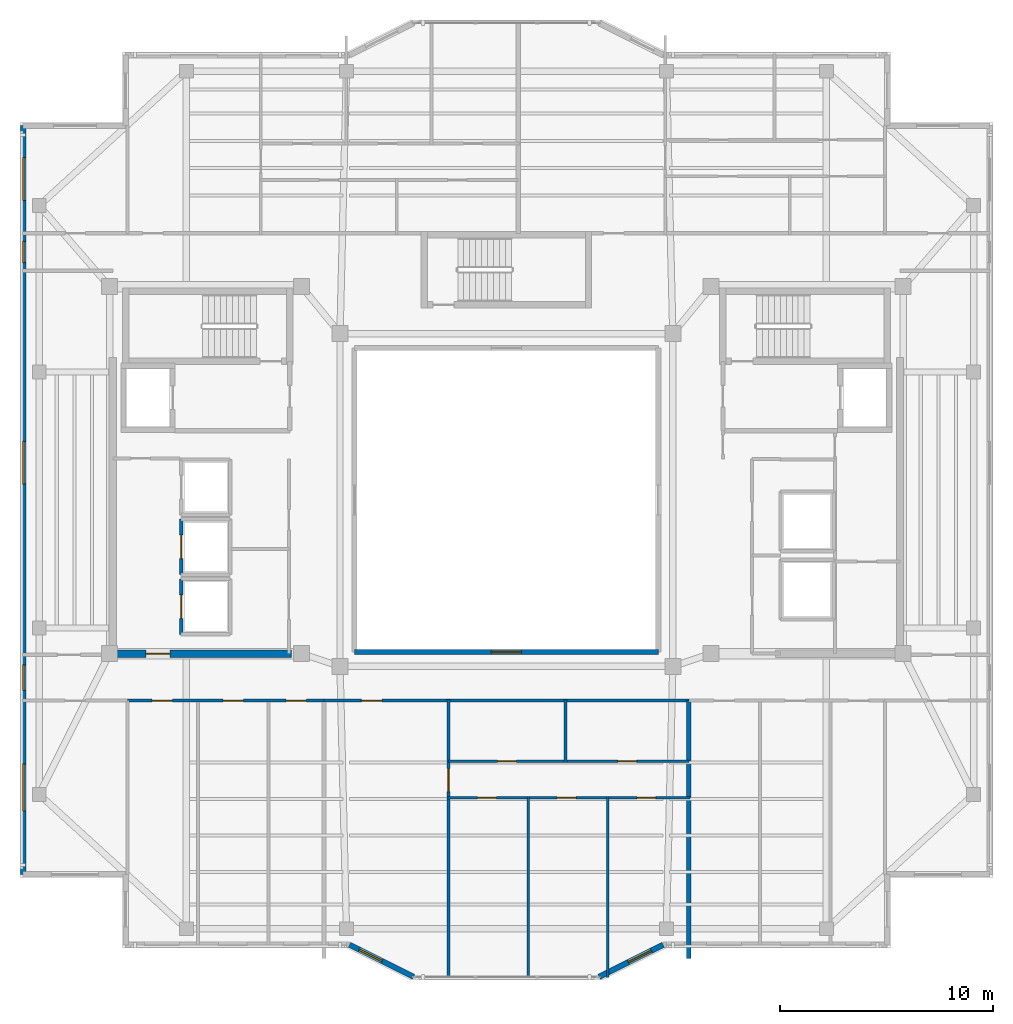
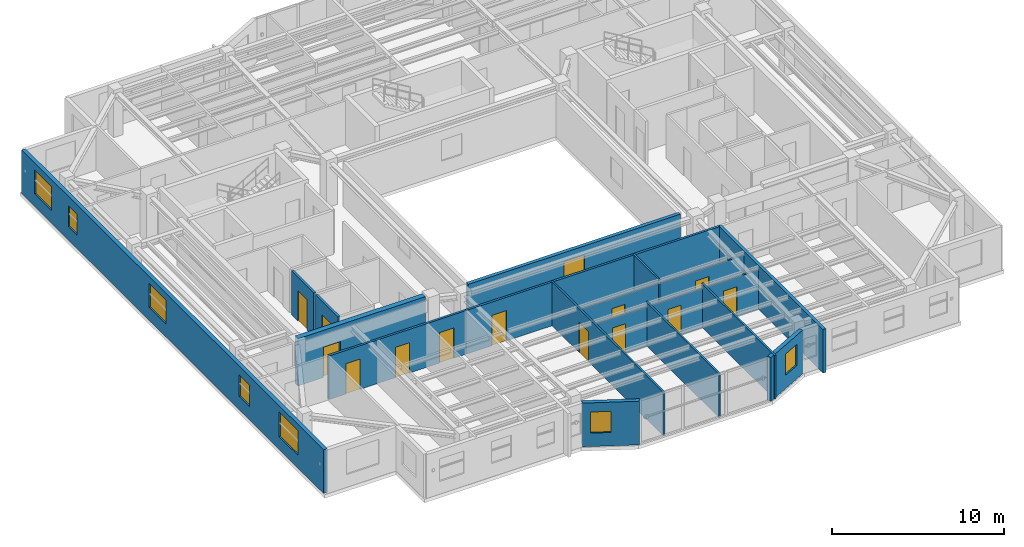
# One storey, part 6 of 13: 17 walls, 13 doors, 8 windows, 21 openings.
"""IFC4 building model written with IfcOpenShell, lengths in metres."""

from ifc_helpers import new_model, si_unit, direction, frame, frame_2d, origin, place, context, subcontext, project, spatial, rectangle, extrude, material, layer, layer_set, type_object, element, fill, save


model = new_model("IFC4")

# Units and contexts
model_context = context("Model", 3, precision=1e-05, world=origin(), true_north=direction((0.0, 1.0)))
body_context = subcontext(model_context, "Body", "Model", "MODEL_VIEW")
ifc_project = project(units=[si_unit("LENGTHUNIT", "METRE"), si_unit("AREAUNIT", "SQUARE_METRE"), si_unit("VOLUMEUNIT", "CUBIC_METRE"), si_unit("PLANEANGLEUNIT", "RADIAN"), si_unit("MASSUNIT", "GRAM", prefix="KILO")], contexts=[model_context])

# Site, building, storey
site_placement = place(None, origin())
site = spatial("IfcSite", under=ifc_project, at=site_placement, CompositionType="ELEMENT")
building_placement = place(site_placement, origin())
building = spatial("IfcBuilding", under=site, at=building_placement, Name="Tarnavaz Court Tower", CompositionType="ELEMENT")
storey_placement = place(building_placement, frame((0.0, 0.0, 248.199951171875)))
storey = spatial("IfcBuildingStorey", under=building, at=storey_placement, Name="L67", CompositionType="ELEMENT", Elevation=248.199951171875)

# Wall, opening, door
ifc_material_1 = material(Name="Concrete C50/60", Category="concrete")
ifc_layer_1 = layer(ifc_material_1, 0.35009765625)
ifc_layer_set_1 = layer_set([ifc_layer_1], Name="Concrete C50/60")
wall_type_1 = type_object("IfcWallType", Name="WL-CORE-350-C50", PredefinedType="SHEAR", material=ifc_layer_set_1)
wall_1_placement = place(storey_placement, frame((-18.625, -7.199951171875, 0.0), z_axis=(0.0, 0.0, 1.0), x_axis=(1.0, 0.0, 0.0)))
wall_1 = element("IfcWall", 1, at=wall_1_placement, inside=storey, type_object=wall_type_1, Name="L67 West Core South Shear Wall 046", PredefinedType="SHEAR", context=body_context, shape_type="SweptSolid", body=[
    extrude(rectangle(XDim=8.550048828125, YDim=0.35009765625, at=frame_2d((4.27490234375, 0.0))), origin(), (0.0, 0.0, 1.0), 3.35009765625),
])
opening_1_placement = place(wall_1_placement, frame((1.72509765625, 0.0, 0.0)))
opening_1 = element("IfcOpeningElement", 2, at=opening_1_placement, cuts=wall_1, Name="Opening D04", PredefinedType="OPENING", context=body_context, shape_type="SweptSolid", body=[
    extrude(rectangle(XDim=1.1201171875, YDim=2.14990234375, at=frame_2d((0.56005859375, 1.074951171875))), frame((0.0, 0.18505859375, 0.0), z_axis=(0.0, -1.0, 0.0), x_axis=(1.0, 0.0, 0.0)), (0.0, 0.0, 1.0), 0.3701171875),
])
ifc_material_2 = material(Name="Fire-Rated Hardwood Timber Core", Category="wood")
door_type_1 = type_object("IfcDoorType", Name="DR-FD60-1100", OperationType="NOTDEFINED", PredefinedType="DOOR", material=ifc_material_2)
door_1_placement = place(opening_1_placement, origin())
door_1 = element("IfcDoor", 3, at=door_1_placement, inside=storey, type_object=door_type_1, Name="L67 West High-Rise Lift Lobby Door", OperationType="SINGLE_SWING_LEFT", OverallHeight=2.14990234375, OverallWidth=1.1201171875, PredefinedType="DOOR", context=body_context, shape_type="SweptSolid", body=[
    extrude(rectangle(XDim=1.1201171875, YDim=2.14990234375, at=frame_2d((0.56005859375, 1.074951171875))), frame((0.0, 0.02490234375, 0.0), z_axis=(0.0, -1.0, 0.0), x_axis=(1.0, 0.0, 0.0)), (0.0, 0.0, 1.0), 0.050048828125),
])
fill(opening_1, door_1)

# Wall, openings, windows
ifc_material_3 = material(Name="Precast Concrete C40/50", Category="concrete")
ifc_layer_2 = layer(ifc_material_3, 0.260009765625)
ifc_layer_set_2 = layer_set([ifc_layer_2], Name="Precast Concrete C40/50")
wall_type_2 = type_object("IfcWallType", Name="WL-EXT-260", PredefinedType="SOLIDWALL", material=ifc_layer_set_2)
wall_2_placement = place(storey_placement, frame((-22.64990234375, -17.550048828125, 0.0), z_axis=(0.0, 0.0, 1.0), x_axis=(0.0, 1.0, 0.0)))
wall_2 = element("IfcWall", 4, at=wall_2_placement, inside=storey, type_object=wall_type_2, Name="L67 Exterior Terracotta Facade Wall 02", PredefinedType="SOLIDWALL", context=body_context, shape_type="SweptSolid", body=[
    extrude(rectangle(XDim=35.10009765625, YDim=0.260009765625, at=frame_2d((17.550048828125, 0.0))), origin(), (0.0, 0.0, 1.0), 3.10009765625),
])
opening_2_placement = place(wall_2_placement, frame((2.97509765625, 0.0, 0.89990234375)))
opening_2 = element("IfcOpeningElement", 5, at=opening_2_placement, cuts=wall_2, Name="Opening W07", PredefinedType="OPENING", context=body_context, shape_type="SweptSolid", body=[
    extrude(rectangle(XDim=2.199951171875, YDim=1.75, at=frame_2d((1.10009765625, 0.875))), frame((0.0, 0.139892578125, 0.0), z_axis=(0.0, -1.0, 0.0), x_axis=(1.0, 0.0, 0.0)), (0.0, 0.0, 1.0), 0.280029296875),
])
opening_3_placement = place(wall_2_placement, frame((8.625, 0.0, 0.949951171875)))
opening_3 = element("IfcOpeningElement", 6, at=opening_3_placement, cuts=wall_2, Name="Opening W05", PredefinedType="OPENING", context=body_context, shape_type="SweptSolid", body=[
    extrude(rectangle(XDim=1.199951171875, YDim=1.5, at=frame_2d((0.60009765625, 0.75))), frame((0.0, 0.139892578125, 0.0), z_axis=(0.0, -1.0, 0.0), x_axis=(1.0, 0.0, 0.0)), (0.0, 0.0, 1.0), 0.280029296875),
])
opening_4_placement = place(wall_2_placement, frame((18.300048828125, 0.0, 0.89990234375)))
opening_4 = element("IfcOpeningElement", 7, at=opening_4_placement, cuts=wall_2, Name="Opening W08", PredefinedType="OPENING", context=body_context, shape_type="SweptSolid", body=[
    extrude(rectangle(XDim=2.0, YDim=1.699951171875, at=frame_2d((1.0, 0.85009765625))), frame((0.0, 0.139892578125, 0.0), z_axis=(0.0, -1.0, 0.0), x_axis=(1.0, 0.0, 0.0)), (0.0, 0.0, 1.0), 0.280029296875),
])
opening_5_placement = place(wall_2_placement, frame((28.675048828125, 0.0, 0.949951171875)))
opening_5 = element("IfcOpeningElement", 8, at=opening_5_placement, cuts=wall_2, Name="Opening W14", PredefinedType="OPENING", context=body_context, shape_type="SweptSolid", body=[
    extrude(rectangle(XDim=1.0, YDim=1.5, at=frame_2d((0.5, 0.75))), frame((0.0, 0.139892578125, 0.0), z_axis=(0.0, -1.0, 0.0), x_axis=(1.0, 0.0, 0.0)), (0.0, 0.0, 1.0), 0.280029296875),
])
opening_6_placement = place(wall_2_placement, frame((31.60009765625, 0.0, 0.89990234375)))
opening_6 = element("IfcOpeningElement", 9, at=opening_6_placement, cuts=wall_2, Name="Opening W08", PredefinedType="OPENING", context=body_context, shape_type="SweptSolid", body=[
    extrude(rectangle(XDim=2.0, YDim=1.699951171875, at=frame_2d((1.0, 0.85009765625))), frame((0.0, 0.139892578125, 0.0), z_axis=(0.0, -1.0, 0.0), x_axis=(1.0, 0.0, 0.0)), (0.0, 0.0, 1.0), 0.280029296875),
])
ifc_material_4 = material(Name="Double-Glazed Solar Low-E Glass", Category="glass")
window_type_1 = type_object("IfcWindowType", Name="WN-APT-1000", PartitioningType="SINGLE_PANEL", PredefinedType="WINDOW", material=ifc_material_4)
window_1_placement = place(opening_5_placement, origin())
window_1 = element("IfcWindow", 10, at=window_1_placement, inside=storey, type_object=window_type_1, Name="L67 North-West Corner Corridor Window", OverallHeight=1.5, OverallWidth=1.0, PartitioningType="SINGLE_PANEL", PredefinedType="WINDOW", context=body_context, shape_type="SweptSolid", body=[
    extrude(rectangle(XDim=1.0, YDim=1.5, at=frame_2d((0.5, 0.75))), frame((0.0, 0.030029296875, 0.0), z_axis=(0.0, -1.0, 0.0), x_axis=(1.0, 0.0, 0.0)), (0.0, 0.0, 1.0), 0.06005859375),
])
fill(opening_5, window_1)
window_type_2 = type_object("IfcWindowType", Name="WN-APT-1200", PartitioningType="SINGLE_PANEL", PredefinedType="WINDOW", material=ifc_material_4)
window_2_placement = place(opening_3_placement, origin())
window_2 = element("IfcWindow", 11, at=window_2_placement, inside=storey, type_object=window_type_2, Name="L67 South-West Corner Corridor Window", OverallHeight=1.5, OverallWidth=1.199951171875, PartitioningType="SINGLE_PANEL", PredefinedType="WINDOW", context=body_context, shape_type="SweptSolid", body=[
    extrude(rectangle(XDim=1.199951171875, YDim=1.5, at=frame_2d((0.60009765625, 0.75))), frame((0.0, 0.030029296875, 0.0), z_axis=(0.0, -1.0, 0.0), x_axis=(1.0, 0.0, 0.0)), (0.0, 0.0, 1.0), 0.06005859375),
])
fill(opening_3, window_2)
window_type_3 = type_object("IfcWindowType", Name="WN-APT-2000", PartitioningType="DOUBLE_PANEL_VERTICAL", PredefinedType="WINDOW", material=ifc_material_4)
window_3_placement = place(opening_4_placement, origin())
window_3 = element("IfcWindow", 12, at=window_3_placement, inside=storey, type_object=window_type_3, Name="L67 West Wing Panoramic Study Gallery Window", OverallHeight=1.699951171875, OverallWidth=2.0, PartitioningType="SINGLE_PANEL", PredefinedType="WINDOW", context=body_context, shape_type="SweptSolid", body=[
    extrude(rectangle(XDim=2.0, YDim=1.699951171875, at=frame_2d((1.0, 0.85009765625))), frame((0.0, 0.030029296875, 0.0), z_axis=(0.0, -1.0, 0.0), x_axis=(1.0, 0.0, 0.0)), (0.0, 0.0, 1.0), 0.06005859375),
])
fill(opening_4, window_3)
window_4_placement = place(opening_6_placement, origin())
window_4 = element("IfcWindow", 13, at=window_4_placement, inside=storey, type_object=window_type_3, Name="L67 North-West Corner Sunroom Study Window", OverallHeight=1.699951171875, OverallWidth=2.0, PartitioningType="SINGLE_PANEL", PredefinedType="WINDOW", context=body_context, shape_type="SweptSolid", body=[
    extrude(rectangle(XDim=2.0, YDim=1.699951171875, at=frame_2d((1.0, 0.85009765625))), frame((0.0, 0.030029296875, 0.0), z_axis=(0.0, -1.0, 0.0), x_axis=(1.0, 0.0, 0.0)), (0.0, 0.0, 1.0), 0.06005859375),
])
fill(opening_6, window_4)
window_type_4 = type_object("IfcWindowType", Name="WN-APT-2200", PartitioningType="TRIPLE_PANEL_VERTICAL", PredefinedType="WINDOW", material=ifc_material_4)
window_5_placement = place(opening_2_placement, origin())
window_5 = element("IfcWindow", 14, at=window_5_placement, inside=storey, type_object=window_type_4, Name="L67 South-West Corner Reading Room Window", OverallHeight=1.75, OverallWidth=2.199951171875, PartitioningType="SINGLE_PANEL", PredefinedType="WINDOW", context=body_context, shape_type="SweptSolid", body=[
    extrude(rectangle(XDim=2.199951171875, YDim=1.75, at=frame_2d((1.10009765625, 0.875))), frame((0.0, 0.030029296875, 0.0), z_axis=(0.0, -1.0, 0.0), x_axis=(1.0, 0.0, 0.0)), (0.0, 0.0, 1.0), 0.06005859375),
])
fill(opening_2, window_5)

# Wall, opening, window
wall_3_placement = place(storey_placement, frame((7.35009765625, -20.85009765625, 0.0), z_axis=(0.0, 0.0, 1.0), x_axis=(-0.894427191, -0.4472135955, 0.0)))
wall_3 = element("IfcWall", 15, at=wall_3_placement, inside=storey, type_object=wall_type_2, Name="L67 Exterior Terracotta Facade Wall 16", PredefinedType="SOLIDWALL", context=body_context, shape_type="SweptSolid", body=[
    extrude(rectangle(XDim=3.35400390625, YDim=0.260009765625, at=frame_2d((1.677001953125, 0.0))), origin(), (0.0, 0.0, 1.0), 3.10009765625),
])
opening_7_placement = place(wall_3_placement, frame((0.62158203125, 0.0, 0.949951171875)))
opening_7 = element("IfcOpeningElement", 16, at=opening_7_placement, cuts=wall_3, Name="Opening W05", PredefinedType="OPENING", context=body_context, shape_type="SweptSolid", body=[
    extrude(rectangle(XDim=1.199951171875, YDim=1.5, at=frame_2d((0.60009765625, 0.75))), frame((0.0, 0.139892578125, 0.0), z_axis=(0.0, -1.0, 0.0), x_axis=(1.0, 0.0, 0.0)), (0.0, 0.0, 1.0), 0.280029296875),
])
window_6_placement = place(opening_7_placement, origin())
window_6 = element("IfcWindow", 17, at=window_6_placement, inside=storey, type_object=window_type_2, Name="L67 Flat 03 Bedroom 3 Window", OverallHeight=1.5, OverallWidth=1.199951171875, PartitioningType="SINGLE_PANEL", PredefinedType="WINDOW", context=body_context, shape_type="SweptSolid", body=[
    extrude(rectangle(XDim=1.199951171875, YDim=1.5, at=frame_2d((0.60009765625, 0.75))), frame((0.0, 0.030029296875, 0.0), z_axis=(0.0, -1.0, 0.0), x_axis=(1.0, 0.0, 0.0)), (0.0, 0.0, 1.0), 0.06005859375),
])
fill(opening_7, window_6)

wall_4_placement = place(storey_placement, frame((-4.35009765625, -22.35009765625, 0.0), z_axis=(0.0, 0.0, 1.0), x_axis=(-0.894427191, 0.4472135955, 0.0)))
wall_4 = element("IfcWall", 18, at=wall_4_placement, inside=storey, type_object=wall_type_2, Name="L67 Exterior Terracotta Facade Wall 18", PredefinedType="SOLIDWALL", context=body_context, shape_type="SweptSolid", body=[
    extrude(rectangle(XDim=3.35400390625, YDim=0.260009765625, at=frame_2d((1.677001953125, 0.0))), origin(), (0.0, 0.0, 1.0), 3.10009765625),
])
opening_8_placement = place(wall_4_placement, frame((1.65283203125, 0.0, 0.949951171875)))
opening_8 = element("IfcOpeningElement", 19, at=opening_8_placement, cuts=wall_4, Name="Opening W05", PredefinedType="OPENING", context=body_context, shape_type="SweptSolid", body=[
    extrude(rectangle(XDim=1.199951171875, YDim=1.5, at=frame_2d((0.60009765625, 0.75))), frame((0.0, 0.139892578125, 0.0), z_axis=(0.0, -1.0, 0.0), x_axis=(1.0, 0.0, 0.0)), (0.0, 0.0, 1.0), 0.280029296875),
])
window_7_placement = place(opening_8_placement, origin())
window_7 = element("IfcWindow", 20, at=window_7_placement, inside=storey, type_object=window_type_2, Name="L67 Flat 03 Living and Dining Room Window", OverallHeight=1.5, OverallWidth=1.199951171875, PartitioningType="SINGLE_PANEL", PredefinedType="WINDOW", context=body_context, shape_type="SweptSolid", body=[
    extrude(rectangle(XDim=1.199951171875, YDim=1.5, at=frame_2d((0.60009765625, 0.75))), frame((0.0, 0.030029296875, 0.0), z_axis=(0.0, -1.0, 0.0), x_axis=(1.0, 0.0, 0.0)), (0.0, 0.0, 1.0), 0.06005859375),
])
fill(opening_8, window_7)

# Wall, openings, doors
ifc_material_5 = material(Name="Gypsum Fire-Board on Acoustic Metal Stud", Category="masonry")
ifc_layer_3 = layer(ifc_material_5, 0.14990234375)
ifc_layer_set_3 = layer_set([ifc_layer_3], Name="Gypsum Fire-Board on Acoustic Metal Stud")
wall_type_3 = type_object("IfcWallType", Name="WL-FIRE-150", PredefinedType="PARTITIONING", material=ifc_layer_set_3)
wall_5_placement = place(storey_placement, frame((-17.75, -9.39990234375, 0.0), z_axis=(0.0, 0.0, 1.0), x_axis=(1.0, 0.0, 0.0)))
wall_5 = element("IfcWall", 21, at=wall_5_placement, inside=storey, type_object=wall_type_3, Name="L67 SW Lobby Wall 062", PredefinedType="PARTITIONING", context=body_context, shape_type="SweptSolid", body=[
    extrude(rectangle(XDim=9.199951171875, YDim=0.14990234375, at=frame_2d((4.60009765625, 0.0))), origin(), (0.0, 0.0, 1.0), 3.10009765625),
])
opening_9_placement = place(wall_5_placement, frame((1.14208984375, 0.0, 0.0)))
opening_9 = element("IfcOpeningElement", 22, at=opening_9_placement, cuts=wall_5, Name="Opening D13", PredefinedType="OPENING", context=body_context, shape_type="SweptSolid", body=[
    extrude(rectangle(XDim=0.949951171875, YDim=2.14990234375, at=frame_2d((0.47509765625, 1.074951171875))), frame((0.0, 0.0849609375, 0.0), z_axis=(0.0, -1.0, 0.0), x_axis=(1.0, 0.0, 0.0)), (0.0, 0.0, 1.0), 0.169921875),
])
opening_10_placement = place(wall_5_placement, frame((4.466064453125, 0.0, 0.0)))
opening_10 = element("IfcOpeningElement", 23, at=opening_10_placement, cuts=wall_5, Name="Opening D13", PredefinedType="OPENING", context=body_context, shape_type="SweptSolid", body=[
    extrude(rectangle(XDim=0.949951171875, YDim=2.14990234375, at=frame_2d((0.47509765625, 1.074951171875))), frame((0.0, 0.0849609375, 0.0), z_axis=(0.0, -1.0, 0.0), x_axis=(1.0, 0.0, 0.0)), (0.0, 0.0, 1.0), 0.169921875),
])
opening_11_placement = place(wall_5_placement, frame((7.424072265625, 0.0, 0.0)))
opening_11 = element("IfcOpeningElement", 24, at=opening_11_placement, cuts=wall_5, Name="Opening D13", PredefinedType="OPENING", context=body_context, shape_type="SweptSolid", body=[
    extrude(rectangle(XDim=0.949951171875, YDim=2.14990234375, at=frame_2d((0.47509765625, 1.074951171875))), frame((0.0, 0.0849609375, 0.0), z_axis=(0.0, -1.0, 0.0), x_axis=(1.0, 0.0, 0.0)), (0.0, 0.0, 1.0), 0.169921875),
])
ifc_material_6 = material(Name="Engineered Oak Timber", Category="wood")
door_type_2 = type_object("IfcDoorType", Name="DR-INT-950", OperationType="NOTDEFINED", PredefinedType="DOOR", material=ifc_material_6)
door_2_placement = place(opening_9_placement, origin())
door_2 = element("IfcDoor", 25, at=door_2_placement, inside=storey, type_object=door_type_2, Name="L67 Resident Co-Working Study Room Door", OperationType="SINGLE_SWING_LEFT", OverallHeight=2.14990234375, OverallWidth=0.949951171875, PredefinedType="DOOR", context=body_context, shape_type="SweptSolid", body=[
    extrude(rectangle(XDim=0.949951171875, YDim=2.14990234375, at=frame_2d((0.47509765625, 1.074951171875))), frame((0.0, 0.02490234375, 0.0), z_axis=(0.0, -1.0, 0.0), x_axis=(1.0, 0.0, 0.0)), (0.0, 0.0, 1.0), 0.050048828125),
])
fill(opening_9, door_2)
door_3_placement = place(opening_10_placement, origin())
door_3 = element("IfcDoor", 26, at=door_3_placement, inside=storey, type_object=door_type_2, Name="L67 Quiet Reading Library Room Door", OperationType="SINGLE_SWING_RIGHT", OverallHeight=2.14990234375, OverallWidth=0.949951171875, PredefinedType="DOOR", context=body_context, shape_type="SweptSolid", body=[
    extrude(rectangle(XDim=0.949951171875, YDim=2.14990234375, at=frame_2d((0.47509765625, 1.074951171875))), frame((0.0, 0.02490234375, 0.0), z_axis=(0.0, -1.0, 0.0), x_axis=(1.0, 0.0, 0.0)), (0.0, 0.0, 1.0), 0.050048828125),
])
fill(opening_10, door_3)
door_4_placement = place(opening_11_placement, origin())
door_4 = element("IfcDoor", 27, at=door_4_placement, inside=storey, type_object=door_type_2, Name="L67 Resident Focus Seminar Room Door", OperationType="SINGLE_SWING_LEFT", OverallHeight=2.14990234375, OverallWidth=0.949951171875, PredefinedType="DOOR", context=body_context, shape_type="SweptSolid", body=[
    extrude(rectangle(XDim=0.949951171875, YDim=2.14990234375, at=frame_2d((0.47509765625, 1.074951171875))), frame((0.0, 0.02490234375, 0.0), z_axis=(0.0, -1.0, 0.0), x_axis=(1.0, 0.0, 0.0)), (0.0, 0.0, 1.0), 0.050048828125),
])
fill(opening_11, door_4)

# Wall, opening, door
wall_6_placement = place(storey_placement, frame((-8.550048828125, -9.39990234375, 0.0), z_axis=(0.0, 0.0, 1.0), x_axis=(1.0, 0.0, 0.0)))
wall_6 = element("IfcWall", 28, at=wall_6_placement, inside=storey, type_object=wall_type_3, Name="L67 Interior Partition 084", PredefinedType="PARTITIONING", context=body_context, shape_type="SweptSolid", body=[
    extrude(rectangle(XDim=17.10009765625, YDim=0.14990234375, at=frame_2d((8.550048828125, 0.0))), origin(), (0.0, 0.0, 1.0), 3.10009765625),
])
opening_12_placement = place(wall_6_placement, frame((1.75, 0.0, 0.0)))
opening_12 = element("IfcOpeningElement", 29, at=opening_12_placement, cuts=wall_6, Name="Opening D06", PredefinedType="OPENING", context=body_context, shape_type="SweptSolid", body=[
    extrude(rectangle(XDim=0.9599609375, YDim=2.14990234375, at=frame_2d((0.47998046875, 1.074951171875))), frame((0.0, 0.0849609375, 0.0), z_axis=(0.0, -1.0, 0.0), x_axis=(1.0, 0.0, 0.0)), (0.0, 0.0, 1.0), 0.169921875),
])
door_type_3 = type_object("IfcDoorType", Name="DR-FD60-950", OperationType="NOTDEFINED", PredefinedType="DOOR", material=ifc_material_2)
door_5_placement = place(opening_12_placement, origin())
door_5 = element("IfcDoor", 30, at=door_5_placement, inside=storey, type_object=door_type_3, Name="L67 Flat 03 Entrance Door", OperationType="SINGLE_SWING_LEFT", OverallHeight=2.14990234375, OverallWidth=0.9599609375, PredefinedType="DOOR", context=body_context, shape_type="SweptSolid", body=[
    extrude(rectangle(XDim=0.9599609375, YDim=2.14990234375, at=frame_2d((0.47998046875, 1.074951171875))), frame((0.0, 0.02490234375, 0.0), z_axis=(0.0, -1.0, 0.0), x_axis=(1.0, 0.0, 0.0)), (0.0, 0.0, 1.0), 0.050048828125),
])
fill(opening_12, door_5)

# Wall
ifc_material_7 = material(Name="Autoclaved Aerated Concrete Blockwork", Category="masonry")
ifc_layer_4 = layer(ifc_material_7, 0.199951171875)
ifc_layer_set_4 = layer_set([ifc_layer_4], Name="Autoclaved Aerated Concrete Blockwork")
wall_type_4 = type_object("IfcWallType", Name="WL-FIRE-200", PredefinedType="SOLIDWALL", material=ifc_layer_set_4)
wall_7_placement = place(storey_placement, frame((8.550048828125, -21.50390625, 0.0), z_axis=(0.0, 0.0, 1.0), x_axis=(0.0, 1.0, 0.0)))
element("IfcWall", 31, at=wall_7_placement, inside=storey, type_object=wall_type_4, Name="L67 Party Wall 083", PredefinedType="SOLIDWALL", context=body_context, shape_type="SweptSolid", body=[
    extrude(rectangle(XDim=12.10400390625, YDim=0.199951171875, at=frame_2d((6.052001953125, 0.0))), origin(), (0.0, 0.0, 1.0), 3.10009765625),
])

# Wall, opening, door
ifc_material_8 = material(Name="Moisture-Resistant Gypsum Board Partition", Category="masonry")
ifc_layer_5 = layer(ifc_material_8, 0.1201171875)
ifc_layer_set_5 = layer_set([ifc_layer_5], Name="Moisture-Resistant Gypsum Board Partition")
wall_type_5 = type_object("IfcWallType", Name="WL-PART-120", PredefinedType="PARTITIONING", material=ifc_layer_set_5)
wall_8_placement = place(storey_placement, frame((-2.714111328125, -22.3798828125, 0.0), z_axis=(0.0, 0.0, 1.0), x_axis=(0.0, 1.0, 0.0)))
wall_8 = element("IfcWall", 32, at=wall_8_placement, inside=storey, type_object=wall_type_5, Name="L67 Interior Partition 085", PredefinedType="PARTITIONING", context=body_context, shape_type="SweptSolid", body=[
    extrude(rectangle(XDim=13.039794921875, YDim=0.1201171875, at=frame_2d((6.52001953125, 0.0))), origin(), (0.0, 0.0, 1.0), 3.10009765625),
])
opening_13_placement = place(wall_8_placement, frame((8.705078125, 0.0, 0.0)))
opening_13 = element("IfcOpeningElement", 33, at=opening_13_placement, cuts=wall_8, Name="Opening D12", PredefinedType="OPENING", context=body_context, shape_type="SweptSolid", body=[
    extrude(rectangle(XDim=1.080078125, YDim=2.14990234375, at=frame_2d((0.5400390625, 1.074951171875))), frame((0.0, 0.070068359375, 0.0), z_axis=(0.0, -1.0, 0.0), x_axis=(1.0, 0.0, 0.0)), (0.0, 0.0, 1.0), 0.14013671875),
])
door_type_4 = type_object("IfcDoorType", Name="DR-INT-1100", OperationType="NOTDEFINED", PredefinedType="DOOR", material=ifc_material_6)
door_6_placement = place(opening_13_placement, origin())
door_6 = element("IfcDoor", 34, at=door_6_placement, inside=storey, type_object=door_type_4, Name="L67 Flat 03 Foyer Door", OperationType="SINGLE_SWING_RIGHT", OverallHeight=2.14990234375, OverallWidth=1.080078125, PredefinedType="DOOR", context=body_context, shape_type="SweptSolid", body=[
    extrude(rectangle(XDim=1.080078125, YDim=2.14990234375, at=frame_2d((0.5400390625, 1.074951171875))), frame((0.0, 0.02490234375, 0.0), z_axis=(0.0, -1.0, 0.0), x_axis=(1.0, 0.0, 0.0)), (0.0, 0.0, 1.0), 0.050048828125),
])
fill(opening_13, door_6)

wall_9_placement = place(storey_placement, frame((-2.714111328125, -12.25, 0.0), z_axis=(0.0, 0.0, 1.0), x_axis=(1.0, 0.0, 0.0)))
wall_9 = element("IfcWall", 35, at=wall_9_placement, inside=storey, type_object=wall_type_5, Name="L67 Interior Partition 086", PredefinedType="PARTITIONING", context=body_context, shape_type="SweptSolid", body=[
    extrude(rectangle(XDim=5.485107421875, YDim=0.1201171875, at=frame_2d((2.74267578125, 0.0))), origin(), (0.0, 0.0, 1.0), 2.78515625),
])
opening_14_placement = place(wall_9_placement, frame((2.302001953125, 0.0, 0.0)))
opening_14 = element("IfcOpeningElement", 36, at=opening_14_placement, cuts=wall_9, Name="Opening D14", PredefinedType="OPENING", context=body_context, shape_type="SweptSolid", body=[
    extrude(rectangle(XDim=0.8798828125, YDim=2.10009765625, at=frame_2d((0.43994140625, 1.050048828125))), frame((0.0, 0.070068359375, 0.0), z_axis=(0.0, -1.0, 0.0), x_axis=(1.0, 0.0, 0.0)), (0.0, 0.0, 1.0), 0.14013671875),
])
door_type_5 = type_object("IfcDoorType", Name="DR-INT-900", OperationType="NOTDEFINED", PredefinedType="DOOR", material=ifc_material_6)
door_7_placement = place(opening_14_placement, origin())
door_7 = element("IfcDoor", 37, at=door_7_placement, inside=storey, type_object=door_type_5, Name="L67 Flat 03 Kitchen Door", OperationType="SINGLE_SWING_LEFT", OverallHeight=2.10009765625, OverallWidth=0.8798828125, PredefinedType="DOOR", context=body_context, shape_type="SweptSolid", body=[
    extrude(rectangle(XDim=0.8798828125, YDim=2.10009765625, at=frame_2d((0.43994140625, 1.050048828125))), frame((0.0, 0.02490234375, 0.0), z_axis=(0.0, -1.0, 0.0), x_axis=(1.0, 0.0, 0.0)), (0.0, 0.0, 1.0), 0.050048828125),
])
fill(opening_14, door_7)

wall_10_placement = place(storey_placement, frame((2.77099609375, -12.25, 0.0), z_axis=(0.0, 0.0, 1.0), x_axis=(1.0, 0.0, 0.0)))
wall_10 = element("IfcWall", 38, at=wall_10_placement, inside=storey, type_object=wall_type_5, Name="L67 Interior Partition 087", PredefinedType="PARTITIONING", context=body_context, shape_type="SweptSolid", body=[
    extrude(rectangle(XDim=5.779052734375, YDim=0.1201171875, at=frame_2d((2.8896484375, 0.0))), origin(), (0.0, 0.0, 1.0), 2.78515625),
])
opening_15_placement = place(wall_10_placement, frame((2.449951171875, 0.0, 0.0)))
opening_15 = element("IfcOpeningElement", 39, at=opening_15_placement, cuts=wall_10, Name="Opening D14", PredefinedType="OPENING", context=body_context, shape_type="SweptSolid", body=[
    extrude(rectangle(XDim=0.8798828125, YDim=2.10009765625, at=frame_2d((0.43994140625, 1.050048828125))), frame((0.0, 0.070068359375, 0.0), z_axis=(0.0, -1.0, 0.0), x_axis=(1.0, 0.0, 0.0)), (0.0, 0.0, 1.0), 0.14013671875),
])
door_8_placement = place(opening_15_placement, origin())
door_8 = element("IfcDoor", 40, at=door_8_placement, inside=storey, type_object=door_type_5, Name="L67 Flat 03 Bathroom Door", OperationType="SINGLE_SWING_RIGHT", OverallHeight=2.10009765625, OverallWidth=0.8798828125, PredefinedType="DOOR", context=body_context, shape_type="SweptSolid", body=[
    extrude(rectangle(XDim=0.8798828125, YDim=2.10009765625, at=frame_2d((0.43994140625, 1.050048828125))), frame((0.0, 0.02490234375, 0.0), z_axis=(0.0, -1.0, 0.0), x_axis=(1.0, 0.0, 0.0)), (0.0, 0.0, 1.0), 0.050048828125),
])
fill(opening_15, door_8)

# Wall, openings, doors
wall_11_placement = place(storey_placement, frame((-2.77392578125, -13.9599609375, 0.0), z_axis=(0.0, 0.0, 1.0), x_axis=(1.0, 0.0, 0.0)))
wall_11 = element("IfcWall", 41, at=wall_11_placement, inside=storey, type_object=wall_type_5, Name="L67 Interior Partition 088", PredefinedType="PARTITIONING", context=body_context, shape_type="SweptSolid", body=[
    extrude(rectangle(XDim=11.384033203125, YDim=0.1201171875, at=frame_2d((5.69189453125, 0.0))), origin(), (0.0, 0.0, 1.0), 2.78515625),
])
opening_16_placement = place(wall_11_placement, frame((1.426025390625, 0.0, 0.0)))
opening_16 = element("IfcOpeningElement", 42, at=opening_16_placement, cuts=wall_11, Name="Opening D14", PredefinedType="OPENING", context=body_context, shape_type="SweptSolid", body=[
    extrude(rectangle(XDim=0.8798828125, YDim=2.10009765625, at=frame_2d((0.43994140625, 1.050048828125))), frame((0.0, 0.070068359375, 0.0), z_axis=(0.0, -1.0, 0.0), x_axis=(1.0, 0.0, 0.0)), (0.0, 0.0, 1.0), 0.14013671875),
])
opening_17_placement = place(wall_11_placement, frame((5.156982421875, 0.0, 0.0)))
opening_17 = element("IfcOpeningElement", 43, at=opening_17_placement, cuts=wall_11, Name="Opening D14", PredefinedType="OPENING", context=body_context, shape_type="SweptSolid", body=[
    extrude(rectangle(XDim=0.8798828125, YDim=2.10009765625, at=frame_2d((0.43994140625, 1.050048828125))), frame((0.0, 0.070068359375, 0.0), z_axis=(0.0, -1.0, 0.0), x_axis=(1.0, 0.0, 0.0)), (0.0, 0.0, 1.0), 0.14013671875),
])
opening_18_placement = place(wall_11_placement, frame((8.887939453125, 0.0, 0.0)))
opening_18 = element("IfcOpeningElement", 44, at=opening_18_placement, cuts=wall_11, Name="Opening D14", PredefinedType="OPENING", context=body_context, shape_type="SweptSolid", body=[
    extrude(rectangle(XDim=0.8798828125, YDim=2.10009765625, at=frame_2d((0.43994140625, 1.050048828125))), frame((0.0, 0.070068359375, 0.0), z_axis=(0.0, -1.0, 0.0), x_axis=(1.0, 0.0, 0.0)), (0.0, 0.0, 1.0), 0.14013671875),
])
door_9_placement = place(opening_16_placement, origin())
door_9 = element("IfcDoor", 45, at=door_9_placement, inside=storey, type_object=door_type_5, Name="L67 Flat 03 Bedroom 1 Door", OperationType="SINGLE_SWING_LEFT", OverallHeight=2.10009765625, OverallWidth=0.8798828125, PredefinedType="DOOR", context=body_context, shape_type="SweptSolid", body=[
    extrude(rectangle(XDim=0.8798828125, YDim=2.10009765625, at=frame_2d((0.43994140625, 1.050048828125))), frame((0.0, 0.02490234375, 0.0), z_axis=(0.0, -1.0, 0.0), x_axis=(1.0, 0.0, 0.0)), (0.0, 0.0, 1.0), 0.050048828125),
])
fill(opening_16, door_9)
door_10_placement = place(opening_17_placement, origin())
door_10 = element("IfcDoor", 46, at=door_10_placement, inside=storey, type_object=door_type_5, Name="L67 Flat 03 Bedroom 2 Door", OperationType="SINGLE_SWING_RIGHT", OverallHeight=2.10009765625, OverallWidth=0.8798828125, PredefinedType="DOOR", context=body_context, shape_type="SweptSolid", body=[
    extrude(rectangle(XDim=0.8798828125, YDim=2.10009765625, at=frame_2d((0.43994140625, 1.050048828125))), frame((0.0, 0.02490234375, 0.0), z_axis=(0.0, -1.0, 0.0), x_axis=(1.0, 0.0, 0.0)), (0.0, 0.0, 1.0), 0.050048828125),
])
fill(opening_17, door_10)
door_11_placement = place(opening_18_placement, origin())
door_11 = element("IfcDoor", 47, at=door_11_placement, inside=storey, type_object=door_type_5, Name="L67 Flat 03 Bedroom 3 Door", OperationType="SINGLE_SWING_LEFT", OverallHeight=2.10009765625, OverallWidth=0.8798828125, PredefinedType="DOOR", context=body_context, shape_type="SweptSolid", body=[
    extrude(rectangle(XDim=0.8798828125, YDim=2.10009765625, at=frame_2d((0.43994140625, 1.050048828125))), frame((0.0, 0.02490234375, 0.0), z_axis=(0.0, -1.0, 0.0), x_axis=(1.0, 0.0, 0.0)), (0.0, 0.0, 1.0), 0.050048828125),
])
fill(opening_18, door_11)

# Walls
wall_12_placement = place(storey_placement, frame((2.77099609375, -12.31005859375, 0.0), z_axis=(0.0, 0.0, 1.0), x_axis=(0.0, 1.0, 0.0)))
element("IfcWall", 48, at=wall_12_placement, inside=storey, type_object=wall_type_5, Name="L67 Interior Partition 089", PredefinedType="PARTITIONING", context=body_context, shape_type="SweptSolid", body=[
    extrude(rectangle(XDim=2.969970703125, YDim=0.1201171875, at=frame_2d((1.48486328125, 0.0))), origin(), (0.0, 0.0, 1.0), 3.10009765625),
])
for number, where, z_axis, x_axis, name in (
    (49, (1.01708984375, -22.3798828125, 0.0), (0.0, 0.0, 1.0), (0.0, 1.0, 0.0), "L67 Interior Partition 090"),
    (50, (4.7490234375, -22.3798828125, 0.0), (0.0, 0.0, 1.0), (0.0, 1.0, 0.0), "L67 Interior Partition 091"),
):
    element("IfcWall", number, at=place(storey_placement, frame(where, z_axis=z_axis, x_axis=x_axis)), inside=storey, type_object=wall_type_5, Name=name, PredefinedType="PARTITIONING", context=body_context, shape_type="SweptSolid", body=[
        extrude(rectangle(XDim=8.47998046875, YDim=0.1201171875, at=frame_2d((4.239990234375, 0.0))), origin(), (0.0, 0.0, 1.0), 3.10009765625),
    ])

# Wall, opening, door
ifc_layer_6 = layer(ifc_material_7, 0.159912109375)
ifc_layer_set_6 = layer_set([ifc_layer_6], Name="Autoclaved Aerated Concrete Blockwork")
wall_type_6 = type_object("IfcWallType", Name="WL-SHAFT-150", PredefinedType="SOLIDWALL", material=ifc_layer_set_6)
wall_13_placement = place(storey_placement, frame((-15.25, -6.300048828125, 0.0), z_axis=(0.0, 0.0, 1.0), x_axis=(0.0, 1.0, 0.0)))
wall_13 = element("IfcWall", 51, at=wall_13_placement, inside=storey, type_object=wall_type_6, Name="L67 Lift PL-H1 Shaft Wall 021", PredefinedType="SOLIDWALL", context=body_context, shape_type="SweptSolid", body=[
    extrude(rectangle(XDim=2.60009765625, YDim=0.159912109375, at=frame_2d((1.300048828125, 0.0))), origin(), (0.0, 0.0, 1.0), 3.10009765625),
])
opening_19_placement = place(wall_13_placement, frame((0.75, 0.0, 0.0)))
opening_19 = element("IfcOpeningElement", 52, at=opening_19_placement, cuts=wall_13, Name="Opening LD1", PredefinedType="OPENING", context=body_context, shape_type="SweptSolid", body=[
    extrude(rectangle(XDim=1.10009765625, YDim=2.14990234375, at=frame_2d((0.550048828125, 1.074951171875))), frame((0.0, 0.08984375, 0.0), z_axis=(0.0, -1.0, 0.0), x_axis=(1.0, 0.0, 0.0)), (0.0, 0.0, 1.0), 0.179931640625),
])
ifc_material_9 = material(Name="Stainless Steel", Category="steel")
door_type_6 = type_object("IfcDoorType", Name="DR-LD-1100", OperationType="NOTDEFINED", PredefinedType="DOOR", material=ifc_material_9)
door_12_placement = place(opening_19_placement, origin())
door_12 = element("IfcDoor", 53, at=door_12_placement, inside=storey, type_object=door_type_6, Name="L67 Lift Landing Door LD-PL-H1", OperationType="SLIDING_TO_LEFT", OverallHeight=2.14990234375, OverallWidth=1.10009765625, PredefinedType="DOOR", context=body_context, shape_type="SweptSolid", body=[
    extrude(rectangle(XDim=1.10009765625, YDim=2.14990234375, at=frame_2d((0.550048828125, 1.074951171875))), frame((0.0, 0.02490234375, 0.0), z_axis=(0.0, -1.0, 0.0), x_axis=(1.0, 0.0, 0.0)), (0.0, 0.0, 1.0), 0.050048828125),
])
fill(opening_19, door_12)

wall_14_placement = place(storey_placement, frame((-15.25, -3.5, 0.0), z_axis=(0.0, 0.0, 1.0), x_axis=(0.0, 1.0, 0.0)))
wall_14 = element("IfcWall", 54, at=wall_14_placement, inside=storey, type_object=wall_type_6, Name="L67 Lift PL-H2 Shaft Wall 025", PredefinedType="SOLIDWALL", context=body_context, shape_type="SweptSolid", body=[
    extrude(rectangle(XDim=2.60009765625, YDim=0.159912109375, at=frame_2d((1.300048828125, 0.0))), origin(), (0.0, 0.0, 1.0), 3.10009765625),
])
opening_20_placement = place(wall_14_placement, frame((0.75, 0.0, 0.0)))
opening_20 = element("IfcOpeningElement", 55, at=opening_20_placement, cuts=wall_14, Name="Opening LD1", PredefinedType="OPENING", context=body_context, shape_type="SweptSolid", body=[
    extrude(rectangle(XDim=1.10009765625, YDim=2.14990234375, at=frame_2d((0.550048828125, 1.074951171875))), frame((0.0, 0.08984375, 0.0), z_axis=(0.0, -1.0, 0.0), x_axis=(1.0, 0.0, 0.0)), (0.0, 0.0, 1.0), 0.179931640625),
])
door_13_placement = place(opening_20_placement, origin())
door_13 = element("IfcDoor", 56, at=door_13_placement, inside=storey, type_object=door_type_6, Name="L67 Lift Landing Door LD-PL-H2", OperationType="SLIDING_TO_LEFT", OverallHeight=2.14990234375, OverallWidth=1.10009765625, PredefinedType="DOOR", context=body_context, shape_type="SweptSolid", body=[
    extrude(rectangle(XDim=1.10009765625, YDim=2.14990234375, at=frame_2d((0.550048828125, 1.074951171875))), frame((0.0, 0.02490234375, 0.0), z_axis=(0.0, -1.0, 0.0), x_axis=(1.0, 0.0, 0.0)), (0.0, 0.0, 1.0), 0.050048828125),
])
fill(opening_20, door_13)

# Wall, opening, window
ifc_layer_7 = layer(ifc_material_3, 0.239990234375)
ifc_layer_set_7 = layer_set([ifc_layer_7], Name="Precast Concrete C40/50")
wall_type_7 = type_object("IfcWallType", Name="WL-WELL-240", PredefinedType="SOLIDWALL", material=ifc_layer_set_7)
wall_15_placement = place(storey_placement, frame((-7.1201171875, -7.1201171875, 0.0), z_axis=(0.0, 0.0, 1.0), x_axis=(1.0, 0.0, 0.0)))
wall_15 = element("IfcWall", 57, at=wall_15_placement, inside=storey, type_object=wall_type_7, Name="L67 Badgir Light-Well Exterior Wall S", PredefinedType="SOLIDWALL", context=body_context, shape_type="SweptSolid", body=[
    extrude(rectangle(XDim=14.240234375, YDim=0.239990234375, at=frame_2d((7.1201171875, 0.0))), origin(), (0.0, 0.0, 1.0), 3.10009765625),
])
opening_21_placement = place(wall_15_placement, frame((6.419921875, 0.0, 0.949951171875)))
opening_21 = element("IfcOpeningElement", 58, at=opening_21_placement, cuts=wall_15, Name="Opening W13", PredefinedType="OPENING", context=body_context, shape_type="SweptSolid", body=[
    extrude(rectangle(XDim=1.39990234375, YDim=1.5, at=frame_2d((0.699951171875, 0.75))), frame((0.0, 0.1298828125, 0.0), z_axis=(0.0, -1.0, 0.0), x_axis=(1.0, 0.0, 0.0)), (0.0, 0.0, 1.0), 0.260009765625),
])
window_type_5 = type_object("IfcWindowType", Name="WN-WEL-1400", PartitioningType="SINGLE_PANEL", PredefinedType="WINDOW", material=ifc_material_4)
window_8_placement = place(opening_21_placement, origin())
window_8 = element("IfcWindow", 59, at=window_8_placement, inside=storey, type_object=window_type_5, Name="L67 Courtyard Gallery Window S", OverallHeight=1.5, OverallWidth=1.39990234375, PartitioningType="SINGLE_PANEL", PredefinedType="WINDOW", context=body_context, shape_type="SweptSolid", body=[
    extrude(rectangle(XDim=1.39990234375, YDim=1.5, at=frame_2d((0.699951171875, 0.75))), frame((0.0, 0.030029296875, 0.0), z_axis=(0.0, -1.0, 0.0), x_axis=(1.0, 0.0, 0.0)), (0.0, 0.0, 1.0), 0.06005859375),
])
fill(opening_21, window_8)

save(model, "model.ifc")
